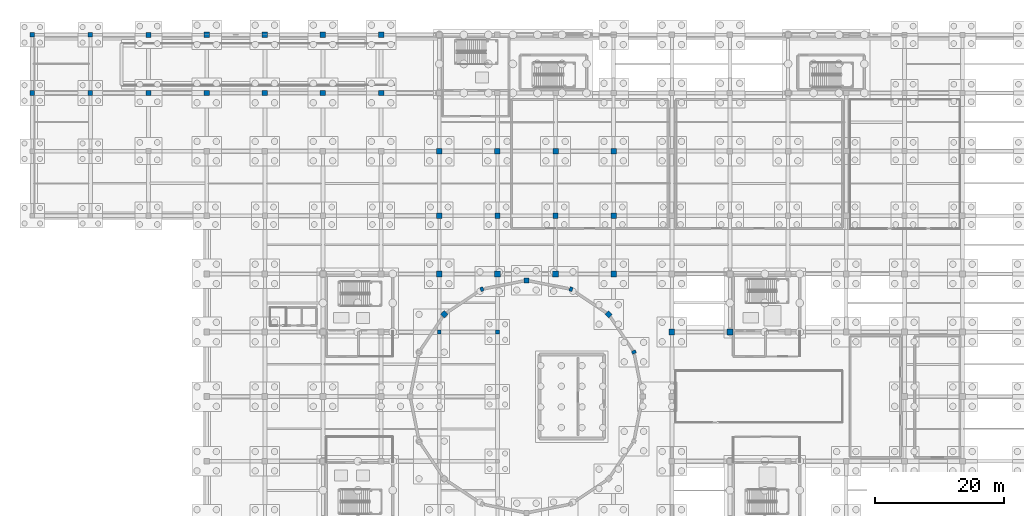
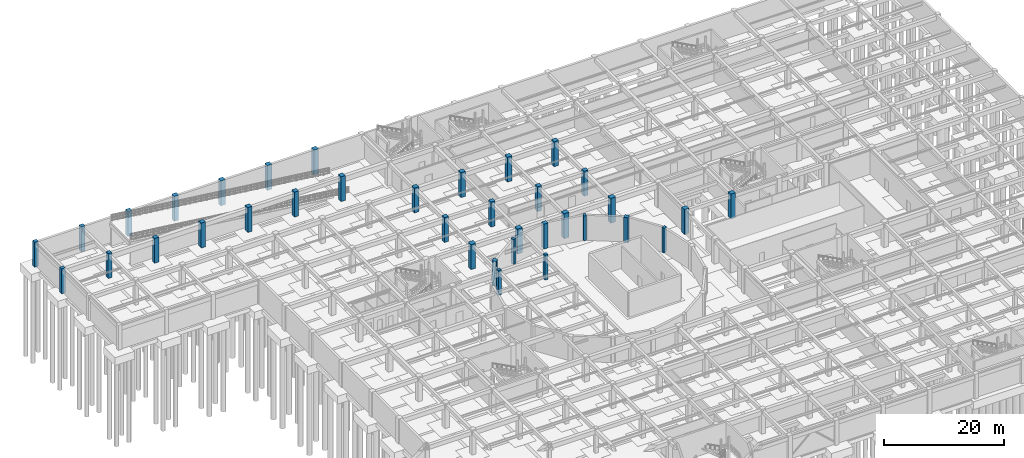
# One storey, part 21 of 62: 36 columns.
"""IFC4 building model written with IfcOpenShell, lengths in metres."""

import ifcopenshell
import ifcopenshell.guid

model = None  # the IFC model being written
_history = None  # IfcOwnerHistory: only IFC2X3 demands one
_inside = {}  # id of a spatial element -> (the spatial element, [elements in it])
_under = {}  # id of a project, library or spatial element -> (it, [spatial elements below it])
_declared = {}  # id of a project -> (the project, [libraries it declares])
_typed = {}  # id of a type object -> (the type object, [elements of that type])
_made_of = {}  # id of a material, layer set ... -> (it, [elements and type objects made of it])


def new_model(schema):
    """Start an empty IFC model of exactly this schema.

    Asked for "IFC4X3", IfcOpenShell would pick the latest addendum, in which some entities
    have other attributes; the version numbers below select the first issue.
    IFC2X3 requires an IfcOwnerHistory on every rooted entity: one is made here for all.
    """
    global model, _history
    if schema == "IFC4X3":
        model = ifcopenshell.file(schema_version=(4, 3, 0, 0))
    else:
        model = ifcopenshell.file(schema=schema)
    _inside.clear()
    _under.clear()
    _declared.clear()
    _typed.clear()
    _made_of.clear()
    _history = None
    if model.schema == "IFC2X3":
        org = make("IfcOrganization", Name="unknown")
        user = make(
            "IfcPersonAndOrganization",
            ThePerson=make("IfcPerson", FamilyName="unknown"),
            TheOrganization=org,
        )
        app = make(
            "IfcApplication",
            ApplicationDeveloper=org,
            Version="unknown",
            ApplicationFullName="unknown",
            ApplicationIdentifier="unknown",
        )
        _history = make(
            "IfcOwnerHistory",
            OwningUser=user,
            OwningApplication=app,
            ChangeAction="ADDED",
            CreationDate=0,
        )
    return model


def make(cls, **values):
    """One entity of the class cls with the attributes given. An attribute that is None is left unset."""
    return model.create_entity(
        cls, **{name: value for name, value in values.items() if value is not None}
    )


def rooted(cls, **values):
    """An entity with a GlobalId (a new one), such as an element, a storey or a relation."""
    return make(cls, GlobalId=ifcopenshell.guid.new(), OwnerHistory=_history, **values)


def si_unit(unit_type, name, prefix=None):
    """IfcSIUnit, for example si_unit("LENGTHUNIT", "METRE", prefix="MILLI")."""
    return make("IfcSIUnit", UnitType=unit_type, Prefix=prefix, Name=name)


def assignment(units):
    """IfcUnitAssignment: the units of a project."""
    return None if units is None else make("IfcUnitAssignment", Units=units)


def point(xyz):
    """IfcCartesianPoint."""
    return None if xyz is None else make("IfcCartesianPoint", Coordinates=xyz)


def direction(xyz):
    """IfcDirection."""
    return None if xyz is None else make("IfcDirection", DirectionRatios=xyz)


def frame(location, z_axis=None, x_axis=None):
    """IfcAxis2Placement3D, a coordinate frame: its origin and axes. An axis left out is left unset."""
    return make(
        "IfcAxis2Placement3D",
        Location=point(location),
        Axis=direction(z_axis),
        RefDirection=direction(x_axis),
    )


def frame_2d(location, x_axis=None):
    """IfcAxis2Placement2D, a coordinate frame in the plane: its origin and x axis."""
    return make(
        "IfcAxis2Placement2D", Location=point(location), RefDirection=direction(x_axis)
    )


def origin():
    """The frame at (0, 0, 0) with its axes left unset."""
    return frame((0.0, 0.0, 0.0))


def origin_2d():
    """The frame at (0, 0) in the plane with its x axis left unset."""
    return frame_2d((0.0, 0.0))


def place(relative_to, where):
    """IfcLocalPlacement: puts the frame where relative to a parent placement (None: the world)."""
    return make(
        "IfcLocalPlacement", PlacementRelTo=relative_to, RelativePlacement=where
    )


def context(
    kind, dimensions, precision=None, world=None, true_north=None, identifier=None
):
    """IfcGeometricRepresentationContext, for example the 3D "Model" context."""
    return make(
        "IfcGeometricRepresentationContext",
        ContextIdentifier=identifier,
        ContextType=kind,
        CoordinateSpaceDimension=dimensions,
        Precision=precision,
        WorldCoordinateSystem=world,
        TrueNorth=true_north,
    )


def subcontext(parent, identifier, kind, view, scale=None):
    """IfcGeometricRepresentationSubContext, for example "Body" below "Model"."""
    return make(
        "IfcGeometricRepresentationSubContext",
        ContextIdentifier=identifier,
        ContextType=kind,
        ParentContext=parent,
        TargetScale=scale,
        TargetView=view,
    )


def project(units=None, contexts=None):
    """IfcProject with its units and contexts."""
    return rooted(
        "IfcProject",
        Name="project",
        RepresentationContexts=contexts,
        UnitsInContext=assignment(units),
    )


def spatial(cls, under=None, at=None, **own):
    """A site, building, storey or space (cls), placed at a placement, below another one or the project."""
    s = rooted(cls, ObjectPlacement=at, **own)
    if under is not None:
        _under.setdefault(under.id(), (under, []))[1].append(s)
    return s


def profile(cls, at=None, kind="AREA", **sizes):
    """A parametric profile (cls). Its sizes go by their IFC names, for example OverallWidth=200.0."""
    return make(cls, ProfileType=kind, Position=at, **sizes)


def rectangle(**sizes):
    """IfcRectangleProfileDef."""
    return profile("IfcRectangleProfileDef", **sizes)


def extrude(swept, where, along, depth):
    """IfcExtrudedAreaSolid: the profile swept, set in the frame where, extruded along a direction by depth."""
    return make(
        "IfcExtrudedAreaSolid",
        SweptArea=swept,
        Position=where,
        ExtrudedDirection=direction(along),
        Depth=depth,
    )


def shape(context_of_items, identifier, shape_type, items):
    """IfcShapeRepresentation: the items that make up one representation, for example the "Body"."""
    return make(
        "IfcShapeRepresentation",
        ContextOfItems=context_of_items,
        RepresentationIdentifier=identifier,
        RepresentationType=shape_type,
        Items=items,
    )


def material(Name=None, Category=None):
    """IfcMaterial."""
    return make("IfcMaterial", Name=Name, Category=Category)


def material_profile(
    of_material, cross_section, Name=None, Category=None, Priority=None
):
    """IfcMaterialProfile: a cross section and its material."""
    return make(
        "IfcMaterialProfile",
        Name=Name,
        Material=of_material,
        Profile=cross_section,
        Priority=Priority,
        Category=Category,
    )


def profile_set(profiles, Name=None, composite=None):
    """IfcMaterialProfileSet."""
    return make(
        "IfcMaterialProfileSet",
        Name=Name,
        MaterialProfiles=profiles,
        CompositeProfile=composite,
    )


def made_of(thing, what):
    """Note that an element or type object is made of a material, layer set ...; save() writes the relation."""
    if what is not None:
        _made_of.setdefault(what.id(), (what, []))[1].append(thing)
    return thing


def type_object(cls, material=None, **own):
    """A type object (cls), such as IfcWallType, which elements share."""
    return made_of(rooted(cls, **own), material)


def element(
    cls,
    number,
    at=None,
    inside=None,
    cuts=None,
    type_object=None,
    material=None,
    context=None,
    identifier="Body",
    shape_type=None,
    held_by="IfcProductDefinitionShape",
    body=None,
    shapes=None,
    **own,
):
    """One element of the class cls, such as IfcWall. Its Tag is "e" and its number.

    at: its placement. inside: the storey or other place that contains it. cuts: it is an
    opening in that element (IfcRelVoidsElement). A single representation is given by context,
    identifier, shape_type and body (its items); several are given by shapes. held_by: the class
    of the entity that holds the representations. save() writes the other relations.
    """
    e = rooted(cls, Tag="e%d" % number, ObjectPlacement=at, **own)
    if body is not None:
        shapes = [shape(context, identifier, shape_type, body)]
    if shapes is not None:
        e.Representation = make(held_by, Representations=shapes)
    if inside is not None:
        _inside.setdefault(inside.id(), (inside, []))[1].append(e)
    if cuts is not None:
        rooted(
            "IfcRelVoidsElement", RelatingBuildingElement=cuts, RelatedOpeningElement=e
        )
    if type_object is not None:
        _typed.setdefault(type_object.id(), (type_object, []))[1].append(e)
    return made_of(e, material)


def aggregate(whole, parts):
    """IfcRelAggregates: a whole, such as a stair, and the parts it consists of."""
    return rooted("IfcRelAggregates", RelatingObject=whole, RelatedObjects=parts)


def save(model, path):
    """Write the relations noted so far, then the file.

    IfcRelAggregates (storeys below a building ...), IfcRelContainedInSpatialStructure (elements
    in a storey), IfcRelDefinesByType, IfcRelAssociatesMaterial and IfcRelDeclares: one each for
    every whole, place, type object, material and project.
    """
    for whole, parts in _under.values():
        aggregate(whole, parts)
    for where, things in _inside.values():
        rooted(
            "IfcRelContainedInSpatialStructure",
            RelatedElements=things,
            RelatingStructure=where,
        )
    for kind, things in _typed.values():
        rooted("IfcRelDefinesByType", RelatedObjects=things, RelatingType=kind)
    for what, things in _made_of.values():
        rooted("IfcRelAssociatesMaterial", RelatedObjects=things, RelatingMaterial=what)
    for by, libraries in _declared.values():
        rooted("IfcRelDeclares", RelatingContext=by, RelatedDefinitions=libraries)
    model.write(path)


model = new_model("IFC4")

# Units and contexts
model_context = context("Model", 3, precision=1e-05, world=origin(), true_north=direction((0.0, 1.0)))
body_context = subcontext(model_context, "Body", "Model", "MODEL_VIEW")
ifc_project = project(units=[si_unit("LENGTHUNIT", "METRE"), si_unit("AREAUNIT", "SQUARE_METRE"), si_unit("VOLUMEUNIT", "CUBIC_METRE"), si_unit("PLANEANGLEUNIT", "RADIAN"), si_unit("MASSUNIT", "GRAM", prefix="KILO")], contexts=[model_context])

# Site, building, storey
site_placement = place(None, origin())
site = spatial("IfcSite", under=ifc_project, at=site_placement, CompositionType="ELEMENT")
building_placement = place(site_placement, origin())
building = spatial("IfcBuilding", under=site, at=building_placement, Name="Miravela Opera House", CompositionType="ELEMENT")
storey_placement = place(building_placement, frame((0.0, 0.0, -5.10009765625)))
storey = spatial("IfcBuildingStorey", under=building, at=storey_placement, Name="B01", CompositionType="ELEMENT", Elevation=-5.10009765625)

# Columns
ifc_material_1 = material(Name="Concrete C35/45", Category="concrete")
ifc_material_profile_1 = material_profile(ifc_material_1, rectangle(XDim=0.60009765625, YDim=0.60009765625, at=origin_2d()), Name="RC-COL-600X600")
ifc_profile_set_1 = profile_set([ifc_material_profile_1])
column_type_1 = type_object("IfcColumnType", Name="STR-COL-RC600", PredefinedType="COLUMN", material=ifc_profile_set_1)
for number, where, z_axis, x_axis, name in (
    (1, (63.0, 66.0, 0.0), (0.0, 0.0, 1.0), (1.0, 0.0, 0.0), "Column C-8H (B01)"),
    (2, (72.0, 66.0, 0.0), (0.0, 0.0, 1.0), (1.0, 0.0, 0.0), "Column C-9H (B01)"),
):
    element("IfcColumn", number, at=place(storey_placement, frame(where, z_axis=z_axis, x_axis=x_axis)), inside=storey, type_object=column_type_1, Name=name, PredefinedType="COLUMN", context=body_context, shape_type="SweptSolid", body=[
        extrude(rectangle(XDim=0.60009765625, YDim=0.60009765625, at=origin_2d()), origin(), (0.0, 0.0, 1.0), 5.10009765625),
    ])
ifc_material_profile_2 = material_profile(ifc_material_1, rectangle(XDim=0.699951171875, YDim=0.699951171875, at=origin_2d()), Name="RC-COL-700X700")
ifc_profile_set_2 = profile_set([ifc_material_profile_2])
column_type_2 = type_object("IfcColumnType", Name="STR-COL-RC700", PredefinedType="COLUMN", material=ifc_profile_set_2)
for number, where, z_axis, x_axis, name in (
    (3, (0.0, 103.0, 0.0), (0.0, 0.0, 1.0), (1.0, 0.0, 0.0), "Column C-1L (B01)"),
    (4, (0.0, 112.0, 0.0), (0.0, 0.0, 1.0), (1.0, 0.0, 0.0), "Column C-1M (B01)"),
    (5, (9.0, 103.0, 0.0), (0.0, 0.0, 1.0), (1.0, 0.0, 0.0), "Column C-2L (B01)"),
    (6, (9.0, 112.0, 0.0), (0.0, 0.0, 1.0), (1.0, 0.0, 0.0), "Column C-2M (B01)"),
):
    element("IfcColumn", number, at=place(storey_placement, frame(where, z_axis=z_axis, x_axis=x_axis)), inside=storey, type_object=column_type_2, Name=name, PredefinedType="COLUMN", context=body_context, shape_type="SweptSolid", body=[
        extrude(rectangle(XDim=0.699951171875, YDim=0.699951171875, at=origin_2d()), origin(), (0.0, 0.0, 1.0), 5.10009765625),
    ])
ifc_material_2 = material(Name="Concrete C40/50", Category="concrete")
ifc_material_profile_3 = material_profile(ifc_material_2, rectangle(XDim=0.800048828125, YDim=0.800048828125, at=origin_2d()), Name="RC-COL-800X800")
ifc_profile_set_3 = profile_set([ifc_material_profile_3])
column_type_3 = type_object("IfcColumnType", Name="STR-COL-RC800", PredefinedType="COLUMN", material=ifc_profile_set_3)
for number, where, z_axis, x_axis, name in (
    (7, (81.0, 84.0, 0.0), (0.0, 0.0, 1.0), (1.0, 0.0, 0.0), "Column C-10J (B01)"),
    (8, (90.0, 84.0, 0.0), (0.0, 0.0, 1.0), (1.0, 0.0, 0.0), "Column C-11J (B01)"),
    (9, (18.0, 103.0, 0.0), (0.0, 0.0, 1.0), (1.0, 0.0, 0.0), "Column C-3L (B01)"),
    (10, (18.0, 112.0, 0.0), (0.0, 0.0, 1.0), (1.0, 0.0, 0.0), "Column C-3M (B01)"),
    (11, (63.0, 84.0, 0.0), (0.0, 0.0, 1.0), (1.0, 0.0, 0.0), "Column C-8J (B01)"),
    (12, (72.0, 84.0, 0.0), (0.0, 0.0, 1.0), (1.0, 0.0, 0.0), "Column C-9J (B01)"),
):
    element("IfcColumn", number, at=place(storey_placement, frame(where, z_axis=z_axis, x_axis=x_axis)), inside=storey, type_object=column_type_3, Name=name, PredefinedType="COLUMN", context=body_context, shape_type="SweptSolid", body=[
        extrude(rectangle(XDim=0.800048828125, YDim=0.800048828125, at=origin_2d()), origin(), (0.0, 0.0, 1.0), 5.10009765625),
    ])
ifc_material_profile_4 = material_profile(ifc_material_2, rectangle(XDim=0.85009765625, YDim=0.85009765625, at=origin_2d()), Name="RC-COL-850X850")
ifc_profile_set_4 = profile_set([ifc_material_profile_4])
column_type_4 = type_object("IfcColumnType", Name="STR-COL-RC850", PredefinedType="COLUMN", material=ifc_profile_set_4)
for number, where, z_axis, x_axis, name in (
    (13, (81.0, 94.0, 0.0), (0.0, 0.0, 1.0), (1.0, 0.0, 0.0), "Column C-10K (B01)"),
    (14, (90.0, 94.0, 0.0), (0.0, 0.0, 1.0), (1.0, 0.0, 0.0), "Column C-11K (B01)"),
    (15, (27.0, 103.0, 0.0), (0.0, 0.0, 1.0), (1.0, 0.0, 0.0), "Column C-4L (B01)"),
    (16, (27.0, 112.0, 0.0), (0.0, 0.0, 1.0), (1.0, 0.0, 0.0), "Column C-4M (B01)"),
    (17, (36.0, 103.0, 0.0), (0.0, 0.0, 1.0), (1.0, 0.0, 0.0), "Column C-5L (B01)"),
    (18, (36.0, 112.0, 0.0), (0.0, 0.0, 1.0), (1.0, 0.0, 0.0), "Column C-5M (B01)"),
    (19, (45.0, 103.0, 0.0), (0.0, 0.0, 1.0), (1.0, 0.0, 0.0), "Column C-6L (B01)"),
    (20, (45.0, 112.0, 0.0), (0.0, 0.0, 1.0), (1.0, 0.0, 0.0), "Column C-6M (B01)"),
    (21, (54.0, 103.0, 0.0), (0.0, 0.0, 1.0), (1.0, 0.0, 0.0), "Column C-7L (B01)"),
    (22, (54.0, 112.0, 0.0), (0.0, 0.0, 1.0), (1.0, 0.0, 0.0), "Column C-7M (B01)"),
    (23, (63.0, 94.0, 0.0), (0.0, 0.0, 1.0), (1.0, 0.0, 0.0), "Column C-8K (B01)"),
    (24, (72.0, 94.0, 0.0), (0.0, 0.0, 1.0), (1.0, 0.0, 0.0), "Column C-9K (B01)"),
):
    element("IfcColumn", number, at=place(storey_placement, frame(where, z_axis=z_axis, x_axis=x_axis)), inside=storey, type_object=column_type_4, Name=name, PredefinedType="COLUMN", context=body_context, shape_type="SweptSolid", body=[
        extrude(rectangle(XDim=0.85009765625, YDim=0.85009765625, at=origin_2d()), origin(), (0.0, 0.0, 1.0), 5.10009765625),
    ])
ifc_material_profile_5 = material_profile(ifc_material_2, rectangle(XDim=0.89990234375, YDim=0.89990234375, at=origin_2d()), Name="RC-COL-900X900")
ifc_profile_set_5 = profile_set([ifc_material_profile_5])
column_type_5 = type_object("IfcColumnType", Name="STR-COL-RC900", PredefinedType="COLUMN", material=ifc_profile_set_5)
for number, where, z_axis, x_axis, name in (
    (25, (81.0, 75.0, 0.0), (0.0, 0.0, 1.0), (1.0, 0.0, 0.0), "Column C-10I (B01)"),
    (26, (90.0, 75.0, 0.0), (0.0, 0.0, 1.0), (1.0, 0.0, 0.0), "Column C-11I (B01)"),
    (27, (99.0, 66.0, 0.0), (0.0, 0.0, 1.0), (1.0, 0.0, 0.0), "Column C-12H (B01)"),
    (28, (108.0, 66.0, 0.0), (0.0, 0.0, 1.0), (1.0, 0.0, 0.0), "Column C-13H (B01)"),
    (29, (63.0, 75.0, 0.0), (0.0, 0.0, 1.0), (1.0, 0.0, 0.0), "Column C-8I (B01)"),
    (30, (72.0, 75.0, 0.0), (0.0, 0.0, 1.0), (1.0, 0.0, 0.0), "Column C-9I (B01)"),
):
    element("IfcColumn", number, at=place(storey_placement, frame(where, z_axis=z_axis, x_axis=x_axis)), inside=storey, type_object=column_type_5, Name=name, PredefinedType="COLUMN", context=body_context, shape_type="SweptSolid", body=[
        extrude(rectangle(XDim=0.89990234375, YDim=0.89990234375, at=origin_2d()), origin(), (0.0, 0.0, 1.0), 5.10009765625),
    ])
ifc_material_profile_6 = material_profile(ifc_material_1, rectangle(XDim=0.64990234375, YDim=0.5, at=origin_2d()), Name="RC-PIL-650X500")
ifc_profile_set_6 = profile_set([ifc_material_profile_6])
column_type_6 = type_object("IfcColumnType", Name="STR-PIL-RC650X500", PredefinedType="PILASTER", material=ifc_profile_set_6)
for number, where, z_axis, x_axis, name in (
    (31, (93.1298828125, 62.88818359375, 0.0), (0.0, 0.0, 1.0), (0.923879532511, 0.382683432365, 0.0), "Auditorium Drum Column DC-02 (B01)"),
    (32, (83.38818359375, 72.6298828125, 0.0), (0.0, 0.0, 1.0), (0.382683432365, 0.923879532511, 0.0), "Auditorium Drum Column DC-04 (B01)"),
    (33, (69.61181640625, 72.6298828125, 0.0), (0.0, 0.0, 1.0), (-0.382683432365, 0.923879532511, 0.0), "Auditorium Drum Column DC-06 (B01)"),
):
    element("IfcColumn", number, at=place(storey_placement, frame(where, z_axis=z_axis, x_axis=x_axis)), inside=storey, type_object=column_type_6, Name=name, PredefinedType="PILASTER", context=body_context, shape_type="SweptSolid", body=[
        extrude(rectangle(XDim=0.64990234375, YDim=0.5, at=origin_2d()), origin(), (0.0, 0.0, 1.0), 5.10009765625),
    ])
ifc_material_profile_7 = material_profile(ifc_material_2, rectangle(XDim=0.800048828125, YDim=0.800048828125, at=origin_2d()), Name="RC-COL-800X800")
ifc_profile_set_7 = profile_set([ifc_material_profile_7])
column_type_7 = type_object("IfcColumnType", Name="STR-PIL-RC800", PredefinedType="PILASTER", material=ifc_profile_set_7)
for number, where, z_axis, x_axis, name in (
    (34, (89.227783203125, 68.727783203125, 0.0), (0.0, 0.0, 1.0), (0.707106781187, 0.707106781187, 0.0), "Auditorium Drum Column DC-03 (B01)"),
    (35, (76.5, 74.0, 0.0), (0.0, 0.0, 1.0), (0.0, 1.0, 0.0), "Auditorium Drum Column DC-05 (B01)"),
    (36, (63.772216796875, 68.727783203125, 0.0), (0.0, 0.0, 1.0), (-0.707106781187, 0.707106781187, 0.0), "Auditorium Drum Column DC-07 (B01)"),
):
    element("IfcColumn", number, at=place(storey_placement, frame(where, z_axis=z_axis, x_axis=x_axis)), inside=storey, type_object=column_type_7, Name=name, PredefinedType="PILASTER", context=body_context, shape_type="SweptSolid", body=[
        extrude(rectangle(XDim=0.800048828125, YDim=0.800048828125, at=origin_2d()), origin(), (0.0, 0.0, 1.0), 5.10009765625),
    ])

save(model, "model.ifc")
